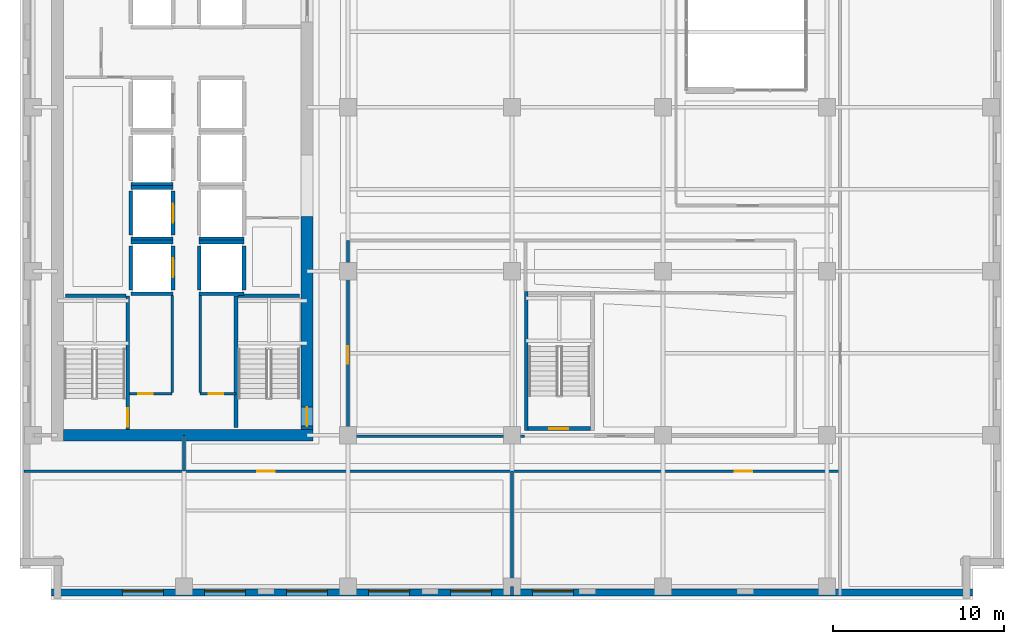
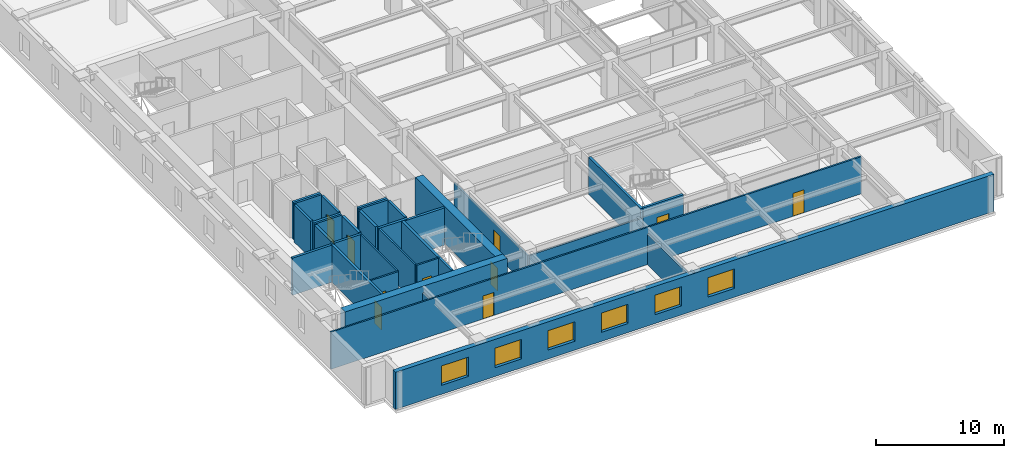
# One storey, part 4 of 14: 33 walls, 10 doors, 6 windows, 16 openings.
"""IFC4 building model written with IfcOpenShell, lengths in metres."""

from ifc_helpers import new_model, si_unit, direction, frame, frame_2d, origin, place, context, subcontext, project, spatial, rectangle, extrude, material, layer, layer_set, type_object, element, fill, save


model = new_model("IFC4")

# Units and contexts
model_context = context("Model", 3, precision=1e-05, world=origin(), true_north=direction((0.0, 1.0)))
body_context = subcontext(model_context, "Body", "Model", "MODEL_VIEW")
ifc_project = project(units=[si_unit("LENGTHUNIT", "METRE"), si_unit("AREAUNIT", "SQUARE_METRE"), si_unit("VOLUMEUNIT", "CUBIC_METRE"), si_unit("PLANEANGLEUNIT", "RADIAN"), si_unit("MASSUNIT", "GRAM", prefix="KILO")], contexts=[model_context])

# Site, building, storey
site_placement = place(None, origin())
site = spatial("IfcSite", under=ifc_project, at=site_placement, CompositionType="ELEMENT")
building_placement = place(site_placement, origin())
building = spatial("IfcBuilding", under=site, at=building_placement, Name="Norrvale University Quadrangle", CompositionType="ELEMENT")
storey_placement = place(building_placement, frame((0.0, 0.0, 116.60009765625)))
storey = spatial("IfcBuildingStorey", under=building, at=storey_placement, Name="L29", CompositionType="ELEMENT", Elevation=116.60009765625)

# Wall, openings, windows
ifc_material_1 = material(Name="Buff Norman Clay Brick Masonry", Category="masonry")
ifc_layer_1 = layer(ifc_material_1, 0.419921875, Name="Buff Norman Clay Brick Masonry")
ifc_layer_set_1 = layer_set([ifc_layer_1], Name="Buff Norman Clay Brick Masonry")
wall_type_1 = type_object("IfcWallType", Name="Wall Buff Brick 420", PredefinedType="SOLIDWALL", material=ifc_layer_set_1)
wall_1_placement = place(storey_placement, frame((1.840087890625, 0.389892578125, 0.0), z_axis=(0.0, 0.0, 1.0), x_axis=(1.0, 0.0, 0.0)))
wall_1 = element("IfcWall", 1, at=wall_1_placement, inside=storey, type_object=wall_type_1, Name="Exterior Brick Facade Wall L29-01.1", PredefinedType="SOLIDWALL", context=body_context, shape_type="SweptSolid", body=[
    extrude(rectangle(XDim=53.919921875, YDim=0.419921875, at=frame_2d((26.9599609375, 0.0))), origin(), (0.0, 0.0, 1.0), 3.539794921875),
])
opening_1_placement = place(wall_1_placement, frame((4.159912109375, 0.0, 0.85009765625)))
opening_1 = element("IfcOpeningElement", 2, at=opening_1_placement, cuts=wall_1, Name="Opening W02", PredefinedType="OPENING", context=body_context, shape_type="SweptSolid", body=[
    extrude(rectangle(XDim=2.39990234375, YDim=1.85009765625, at=frame_2d((1.199951171875, 0.925048828125))), frame((0.0, 0.221923828125, 0.0), z_axis=(0.0, -1.0, 0.0), x_axis=(1.0, 0.0, 0.0)), (0.0, 0.0, 1.0), 0.44384765625),
])
opening_2_placement = place(wall_1_placement, frame((8.9599609375, 0.0, 0.85009765625)))
opening_2 = element("IfcOpeningElement", 3, at=opening_2_placement, cuts=wall_1, Name="Opening W02", PredefinedType="OPENING", context=body_context, shape_type="SweptSolid", body=[
    extrude(rectangle(XDim=2.39990234375, YDim=1.85009765625, at=frame_2d((1.199951171875, 0.925048828125))), frame((0.0, 0.221923828125, 0.0), z_axis=(0.0, -1.0, 0.0), x_axis=(1.0, 0.0, 0.0)), (0.0, 0.0, 1.0), 0.44384765625),
])
opening_3_placement = place(wall_1_placement, frame((13.760009765625, 0.0, 0.85009765625)))
opening_3 = element("IfcOpeningElement", 4, at=opening_3_placement, cuts=wall_1, Name="Opening W02", PredefinedType="OPENING", context=body_context, shape_type="SweptSolid", body=[
    extrude(rectangle(XDim=2.39990234375, YDim=1.85009765625, at=frame_2d((1.199951171875, 0.925048828125))), frame((0.0, 0.221923828125, 0.0), z_axis=(0.0, -1.0, 0.0), x_axis=(1.0, 0.0, 0.0)), (0.0, 0.0, 1.0), 0.44384765625),
])
opening_4_placement = place(wall_1_placement, frame((18.56005859375, 0.0, 0.85009765625)))
opening_4 = element("IfcOpeningElement", 5, at=opening_4_placement, cuts=wall_1, Name="Opening W02", PredefinedType="OPENING", context=body_context, shape_type="SweptSolid", body=[
    extrude(rectangle(XDim=2.39990234375, YDim=1.85009765625, at=frame_2d((1.199951171875, 0.925048828125))), frame((0.0, 0.221923828125, 0.0), z_axis=(0.0, -1.0, 0.0), x_axis=(1.0, 0.0, 0.0)), (0.0, 0.0, 1.0), 0.44384765625),
])
opening_5_placement = place(wall_1_placement, frame((23.360107421875, 0.0, 0.85009765625)))
opening_5 = element("IfcOpeningElement", 6, at=opening_5_placement, cuts=wall_1, Name="Opening W02", PredefinedType="OPENING", context=body_context, shape_type="SweptSolid", body=[
    extrude(rectangle(XDim=2.39990234375, YDim=1.85009765625, at=frame_2d((1.199951171875, 0.925048828125))), frame((0.0, 0.221923828125, 0.0), z_axis=(0.0, -1.0, 0.0), x_axis=(1.0, 0.0, 0.0)), (0.0, 0.0, 1.0), 0.44384765625),
])
opening_6_placement = place(wall_1_placement, frame((28.159912109375, 0.0, 0.85009765625)))
opening_6 = element("IfcOpeningElement", 7, at=opening_6_placement, cuts=wall_1, Name="Opening W02", PredefinedType="OPENING", context=body_context, shape_type="SweptSolid", body=[
    extrude(rectangle(XDim=2.39990234375, YDim=1.85009765625, at=frame_2d((1.199951171875, 0.925048828125))), frame((0.0, 0.221923828125, 0.0), z_axis=(0.0, -1.0, 0.0), x_axis=(1.0, 0.0, 0.0)), (0.0, 0.0, 1.0), 0.44384765625),
])
ifc_material_2 = material(Name="Triple Low-E Argon Glazing", Category="glass")
window_type = type_object("IfcWindowType", Name="Window Academic 2400x2300", PartitioningType="TRIPLE_PANEL_VERTICAL", PredefinedType="WINDOW", material=ifc_material_2)
window_1_placement = place(opening_1_placement, origin())
window_1 = element("IfcWindow", 8, at=window_1_placement, inside=storey, type_object=window_type, Name="Window Academic 2400x2300 WIN-L29-E01-1-01", OverallHeight=1.85009765625, OverallWidth=2.39990234375, PartitioningType="TRIPLE_PANEL_VERTICAL", PredefinedType="WINDOW", context=body_context, shape_type="SweptSolid", body=[
    extrude(rectangle(XDim=2.39990234375, YDim=1.85009765625, at=frame_2d((1.199951171875, 0.925048828125))), frame((0.0, 0.110107421875, 0.0), z_axis=(0.0, -1.0, 0.0), x_axis=(1.0, 0.0, 0.0)), (0.0, 0.0, 1.0), 0.06005859375),
])
fill(opening_1, window_1)
window_2_placement = place(opening_2_placement, origin())
window_2 = element("IfcWindow", 9, at=window_2_placement, inside=storey, type_object=window_type, Name="Window Academic 2400x2300 WIN-L29-E01-1-02", OverallHeight=1.85009765625, OverallWidth=2.39990234375, PartitioningType="TRIPLE_PANEL_VERTICAL", PredefinedType="WINDOW", context=body_context, shape_type="SweptSolid", body=[
    extrude(rectangle(XDim=2.39990234375, YDim=1.85009765625, at=frame_2d((1.199951171875, 0.925048828125))), frame((0.0, 0.110107421875, 0.0), z_axis=(0.0, -1.0, 0.0), x_axis=(1.0, 0.0, 0.0)), (0.0, 0.0, 1.0), 0.06005859375),
])
fill(opening_2, window_2)
window_3_placement = place(opening_3_placement, origin())
window_3 = element("IfcWindow", 10, at=window_3_placement, inside=storey, type_object=window_type, Name="Window Academic 2400x2300 WIN-L29-E01-1-03", OverallHeight=1.85009765625, OverallWidth=2.39990234375, PartitioningType="TRIPLE_PANEL_VERTICAL", PredefinedType="WINDOW", context=body_context, shape_type="SweptSolid", body=[
    extrude(rectangle(XDim=2.39990234375, YDim=1.85009765625, at=frame_2d((1.199951171875, 0.925048828125))), frame((0.0, 0.110107421875, 0.0), z_axis=(0.0, -1.0, 0.0), x_axis=(1.0, 0.0, 0.0)), (0.0, 0.0, 1.0), 0.06005859375),
])
fill(opening_3, window_3)
window_4_placement = place(opening_4_placement, origin())
window_4 = element("IfcWindow", 11, at=window_4_placement, inside=storey, type_object=window_type, Name="Window Academic 2400x2300 WIN-L29-E01-1-04", OverallHeight=1.85009765625, OverallWidth=2.39990234375, PartitioningType="TRIPLE_PANEL_VERTICAL", PredefinedType="WINDOW", context=body_context, shape_type="SweptSolid", body=[
    extrude(rectangle(XDim=2.39990234375, YDim=1.85009765625, at=frame_2d((1.199951171875, 0.925048828125))), frame((0.0, 0.110107421875, 0.0), z_axis=(0.0, -1.0, 0.0), x_axis=(1.0, 0.0, 0.0)), (0.0, 0.0, 1.0), 0.06005859375),
])
fill(opening_4, window_4)
window_5_placement = place(opening_5_placement, origin())
window_5 = element("IfcWindow", 12, at=window_5_placement, inside=storey, type_object=window_type, Name="Window Academic 2400x2300 WIN-L29-E01-1-05", OverallHeight=1.85009765625, OverallWidth=2.39990234375, PartitioningType="TRIPLE_PANEL_VERTICAL", PredefinedType="WINDOW", context=body_context, shape_type="SweptSolid", body=[
    extrude(rectangle(XDim=2.39990234375, YDim=1.85009765625, at=frame_2d((1.199951171875, 0.925048828125))), frame((0.0, 0.110107421875, 0.0), z_axis=(0.0, -1.0, 0.0), x_axis=(1.0, 0.0, 0.0)), (0.0, 0.0, 1.0), 0.06005859375),
])
fill(opening_5, window_5)
window_6_placement = place(opening_6_placement, origin())
window_6 = element("IfcWindow", 13, at=window_6_placement, inside=storey, type_object=window_type, Name="Window Academic 2400x2300 WIN-L29-E01-1-06", OverallHeight=1.85009765625, OverallWidth=2.39990234375, PartitioningType="TRIPLE_PANEL_VERTICAL", PredefinedType="WINDOW", context=body_context, shape_type="SweptSolid", body=[
    extrude(rectangle(XDim=2.39990234375, YDim=1.85009765625, at=frame_2d((1.199951171875, 0.925048828125))), frame((0.0, 0.110107421875, 0.0), z_axis=(0.0, -1.0, 0.0), x_axis=(1.0, 0.0, 0.0)), (0.0, 0.0, 1.0), 0.06005859375),
])
fill(opening_6, window_6)

# Wall
ifc_material_3 = material(Name="Concrete C60/75", Category="concrete")
ifc_layer_2 = layer(ifc_material_3, 0.699951171875, Name="Concrete C60/75")
ifc_layer_set_2 = layer_set([ifc_layer_2], Name="Concrete C60/75")
wall_type_2 = type_object("IfcWallType", Name="Wall Core 700", PredefinedType="SHEAR", material=ifc_layer_set_2)
wall_2_placement = place(storey_placement, frame((2.550048828125, 9.60009765625, 0.0), z_axis=(0.0, 0.0, 1.0), x_axis=(1.0, 0.0, 0.0)))
element("IfcWall", 14, at=wall_2_placement, inside=storey, type_object=wall_type_2, Name="Tower Core Shear Wall L29-S", PredefinedType="SHEAR", context=body_context, shape_type="SweptSolid", body=[
    extrude(rectangle(XDim=14.599853515625, YDim=0.699951171875, at=frame_2d((7.2998046875, 0.0))), origin(), (0.0, 0.0, 1.0), 3.539794921875),
])

# Wall, opening, door
wall_3_placement = place(storey_placement, frame((16.800048828125, 9.949951171875, 0.0), z_axis=(0.0, 0.0, 1.0), x_axis=(0.0, 1.0, 0.0)))
wall_3 = element("IfcWall", 15, at=wall_3_placement, inside=storey, type_object=wall_type_2, Name="Tower Core Shear Wall L29-E1", PredefinedType="SHEAR", context=body_context, shape_type="SweptSolid", body=[
    extrude(rectangle(XDim=12.449951171875, YDim=0.699951171875, at=frame_2d((6.22509765625, 0.0))), origin(), (0.0, 0.0, 1.0), 3.539794921875),
])
opening_7_placement = place(wall_3_placement, frame((0.18994140625, 0.0, 0.0)))
opening_7 = element("IfcOpeningElement", 16, at=opening_7_placement, cuts=wall_3, Name="Opening D02", PredefinedType="OPENING", context=body_context, shape_type="SweptSolid", body=[
    extrude(rectangle(XDim=1.10009765625, YDim=2.199951171875, at=frame_2d((0.550048828125, 1.10009765625))), frame((0.0, 0.362060546875, 0.0), z_axis=(0.0, -1.0, 0.0), x_axis=(1.0, 0.0, 0.0)), (0.0, 0.0, 1.0), 0.723876953125),
])
ifc_material_4 = material(Name="Hollow Steel 350W Fire Door", Category="steel")
door_type_1 = type_object("IfcDoorType", Name="Door Stair Exit 1100x2200", OperationType="NOTDEFINED", PredefinedType="DOOR", material=ifc_material_4)
door_1_placement = place(opening_7_placement, origin())
door_1 = element("IfcDoor", 17, at=door_1_placement, inside=storey, type_object=door_type_1, Name="Door Stair Exit 1100x2200 DR-L29-ST03", OperationType="SINGLE_SWING_LEFT", OverallHeight=2.199951171875, OverallWidth=1.10009765625, PredefinedType="DOOR", context=body_context, shape_type="SweptSolid", body=[
    extrude(rectangle(XDim=1.10009765625, YDim=2.199951171875, at=frame_2d((0.550048828125, 1.10009765625))), frame((0.0, 0.02490234375, 0.0), z_axis=(0.0, -1.0, 0.0), x_axis=(1.0, 0.0, 0.0)), (0.0, 0.0, 1.0), 0.050048828125),
])
fill(opening_7, door_1)

ifc_material_5 = material(Name="Fire-Rated Gypsum Stud Partition")
ifc_layer_3 = layer(ifc_material_5, 0.14990234375, Name="Fire-Rated Gypsum Stud Partition")
ifc_layer_set_3 = layer_set([ifc_layer_3], Name="Fire-Rated Gypsum Stud Partition")
wall_type_3 = type_object("IfcWallType", Name="Wall Gypsum Corridor 150", PredefinedType="PARTITIONING", material=ifc_layer_set_3)
wall_4_placement = place(storey_placement, frame((6.419921875, 12.02001953125, 0.0), z_axis=(0.0, 0.0, 1.0), x_axis=(1.0, 0.0, 0.0)))
wall_4 = element("IfcWall", 18, at=wall_4_placement, inside=storey, type_object=wall_type_3, Name="Interior Partition WL-L29-SC-NL", PredefinedType="PARTITIONING", context=body_context, shape_type="SweptSolid", body=[
    extrude(rectangle(XDim=2.47998046875, YDim=0.14990234375, at=frame_2d((1.239990234375, 0.0))), origin(), (0.0, 0.0, 1.0), 3.539794921875),
])
opening_8_placement = place(wall_4_placement, frame((0.5, 0.0, 0.0)))
opening_8 = element("IfcOpeningElement", 19, at=opening_8_placement, cuts=wall_4, Name="Opening D10", PredefinedType="OPENING", context=body_context, shape_type="SweptSolid", body=[
    extrude(rectangle(XDim=0.85009765625, YDim=2.10009765625, at=frame_2d((0.425048828125, 1.050048828125))), frame((0.0, 0.0869140625, 0.0), z_axis=(0.0, -1.0, 0.0), x_axis=(1.0, 0.0, 0.0)), (0.0, 0.0, 1.0), 0.173828125),
])
ifc_material_6 = material(Name="Hollow Steel 350W Riser Fire Door", Category="steel")
door_type_2 = type_object("IfcDoorType", Name="Door Riser 850x2100", OperationType="NOTDEFINED", PredefinedType="DOOR", material=ifc_material_6)
door_2_placement = place(opening_8_placement, origin())
door_2 = element("IfcDoor", 20, at=door_2_placement, inside=storey, type_object=door_type_2, Name="Door Riser 850x2100 DR-L29-ELEC", OperationType="SINGLE_SWING_LEFT", OverallHeight=2.10009765625, OverallWidth=0.85009765625, PredefinedType="DOOR", context=body_context, shape_type="SweptSolid", body=[
    extrude(rectangle(XDim=0.85009765625, YDim=2.10009765625, at=frame_2d((0.425048828125, 1.050048828125))), frame((0.0, 0.02490234375, 0.0), z_axis=(0.0, -1.0, 0.0), x_axis=(1.0, 0.0, 0.0)), (0.0, 0.0, 1.0), 0.050048828125),
])
fill(opening_8, door_2)

wall_5_placement = place(storey_placement, frame((10.550048828125, 12.02001953125, 0.0), z_axis=(0.0, 0.0, 1.0), x_axis=(1.0, 0.0, 0.0)))
wall_5 = element("IfcWall", 21, at=wall_5_placement, inside=storey, type_object=wall_type_3, Name="Interior Partition WL-L29-SC-NR", PredefinedType="PARTITIONING", context=body_context, shape_type="SweptSolid", body=[
    extrude(rectangle(XDim=2.079833984375, YDim=0.14990234375, at=frame_2d((1.0400390625, 0.0))), origin(), (0.0, 0.0, 1.0), 3.539794921875),
])
opening_9_placement = place(wall_5_placement, frame((0.5, 0.0, 0.0)))
opening_9 = element("IfcOpeningElement", 22, at=opening_9_placement, cuts=wall_5, Name="Opening D10", PredefinedType="OPENING", context=body_context, shape_type="SweptSolid", body=[
    extrude(rectangle(XDim=0.85009765625, YDim=2.10009765625, at=frame_2d((0.425048828125, 1.050048828125))), frame((0.0, 0.0869140625, 0.0), z_axis=(0.0, -1.0, 0.0), x_axis=(1.0, 0.0, 0.0)), (0.0, 0.0, 1.0), 0.173828125),
])
door_3_placement = place(opening_9_placement, origin())
door_3 = element("IfcDoor", 23, at=door_3_placement, inside=storey, type_object=door_type_2, Name="Door Riser 850x2100 DR-L29-IDF", OperationType="SINGLE_SWING_RIGHT", OverallHeight=2.10009765625, OverallWidth=0.85009765625, PredefinedType="DOOR", context=body_context, shape_type="SweptSolid", body=[
    extrude(rectangle(XDim=0.85009765625, YDim=2.10009765625, at=frame_2d((0.425048828125, 1.050048828125))), frame((0.0, 0.02490234375, 0.0), z_axis=(0.0, -1.0, 0.0), x_axis=(1.0, 0.0, 0.0)), (0.0, 0.0, 1.0), 0.050048828125),
])
fill(opening_9, door_3)

# Walls
for number, where, z_axis, x_axis, name in (
    (24, (8.89990234375, 12.094970703125, 0.0), (0.0, 0.0, 1.0), (0.0, 1.0, 0.0), "Interior Partition WL-L29-SC-WL"),
    (25, (10.550048828125, 12.094970703125, 0.0), (0.0, 0.0, 1.0), (0.0, 1.0, 0.0), "Interior Partition WL-L29-SC-WR"),
):
    element("IfcWall", number, at=place(storey_placement, frame(where, z_axis=z_axis, x_axis=x_axis)), inside=storey, type_object=wall_type_3, Name=name, PredefinedType="PARTITIONING", context=body_context, shape_type="SweptSolid", body=[
        extrude(rectangle(XDim=5.679931640625, YDim=0.14990234375, at=frame_2d((2.83984375, 0.0))), origin(), (0.0, 0.0, 1.0), 3.539794921875),
    ])
wall_6_placement = place(storey_placement, frame((9.60009765625, 7.5, 0.0), z_axis=(0.0, 0.0, 1.0), x_axis=(0.0, 1.0, 0.0)))
element("IfcWall", 26, at=wall_6_placement, inside=storey, type_object=wall_type_3, Name="Interior Partition WL-L29-CSW-END", PredefinedType="PARTITIONING", context=body_context, shape_type="SweptSolid", body=[
    extrude(rectangle(XDim=2.10009765625, YDim=0.14990234375, at=frame_2d((1.050048828125, 0.0))), origin(), (0.0, 0.0, 1.0), 2.9228515625),
])

# Wall, openings, doors
wall_7_placement = place(storey_placement, frame((0.219970703125, 7.5, 0.0), z_axis=(0.0, 0.0, 1.0), x_axis=(1.0, 0.0, 0.0)))
wall_7 = element("IfcWall", 27, at=wall_7_placement, inside=storey, type_object=wall_type_3, Name="Interior Partition WL-L29-SCW", PredefinedType="PARTITIONING", context=body_context, shape_type="SweptSolid", body=[
    extrude(rectangle(XDim=47.780029296875, YDim=0.14990234375, at=frame_2d((23.89013671875, 0.0))), origin(), (0.0, 0.0, 1.0), 3.539794921875),
])
opening_10_placement = place(wall_7_placement, frame((13.679931640625, 0.0, 0.0)))
opening_10 = element("IfcOpeningElement", 28, at=opening_10_placement, cuts=wall_7, Name="Opening D04", PredefinedType="OPENING", context=body_context, shape_type="SweptSolid", body=[
    extrude(rectangle(XDim=1.0, YDim=2.199951171875, at=frame_2d((0.5, 1.10009765625))), frame((0.0, 0.0869140625, 0.0), z_axis=(0.0, -1.0, 0.0), x_axis=(1.0, 0.0, 0.0)), (0.0, 0.0, 1.0), 0.173828125),
])
opening_11_placement = place(wall_7_placement, frame((41.6298828125, 0.0, 0.0)))
opening_11 = element("IfcOpeningElement", 29, at=opening_11_placement, cuts=wall_7, Name="Opening D04", PredefinedType="OPENING", context=body_context, shape_type="SweptSolid", body=[
    extrude(rectangle(XDim=1.0, YDim=2.199951171875, at=frame_2d((0.5, 1.10009765625))), frame((0.0, 0.0869140625, 0.0), z_axis=(0.0, -1.0, 0.0), x_axis=(1.0, 0.0, 0.0)), (0.0, 0.0, 1.0), 0.173828125),
])
ifc_material_7 = material(Name="Solid-Core Oak Fire Door", Category="wood")
door_type_3 = type_object("IfcDoorType", Name="Door Corridor 1000x2200", OperationType="NOTDEFINED", PredefinedType="DOOR", material=ifc_material_7)
door_4_placement = place(opening_10_placement, origin())
door_4 = element("IfcDoor", 30, at=door_4_placement, inside=storey, type_object=door_type_3, Name="Door Corridor 1000x2200 DR-L29-S01", OperationType="SINGLE_SWING_LEFT", OverallHeight=2.199951171875, OverallWidth=1.0, PredefinedType="DOOR", context=body_context, shape_type="SweptSolid", body=[
    extrude(rectangle(XDim=1.0, YDim=2.199951171875, at=frame_2d((0.5, 1.10009765625))), frame((0.0, 0.02490234375, 0.0), z_axis=(0.0, -1.0, 0.0), x_axis=(1.0, 0.0, 0.0)), (0.0, 0.0, 1.0), 0.050048828125),
])
fill(opening_10, door_4)
door_5_placement = place(opening_11_placement, origin())
door_5 = element("IfcDoor", 31, at=door_5_placement, inside=storey, type_object=door_type_3, Name="Door Corridor 1000x2200 DR-L29-S02", OperationType="SINGLE_SWING_RIGHT", OverallHeight=2.199951171875, OverallWidth=1.0, PredefinedType="DOOR", context=body_context, shape_type="SweptSolid", body=[
    extrude(rectangle(XDim=1.0, YDim=2.199951171875, at=frame_2d((0.5, 1.10009765625))), frame((0.0, 0.02490234375, 0.0), z_axis=(0.0, -1.0, 0.0), x_axis=(1.0, 0.0, 0.0)), (0.0, 0.0, 1.0), 0.050048828125),
])
fill(opening_11, door_5)

# Wall, opening, door
wall_8_placement = place(storey_placement, frame((19.199951171875, 9.550048828125, 0.0), z_axis=(0.0, 0.0, 1.0), x_axis=(0.0, 1.0, 0.0)))
wall_8 = element("IfcWall", 32, at=wall_8_placement, inside=storey, type_object=wall_type_3, Name="Interior Partition WL-L29-ISLW", PredefinedType="PARTITIONING", context=body_context, shape_type="SweptSolid", body=[
    extrude(rectangle(XDim=11.449951171875, YDim=0.14990234375, at=frame_2d((5.72509765625, 0.0))), origin(), (0.0, 0.0, 1.0), 2.9228515625),
])
opening_12_placement = place(wall_8_placement, frame((4.25, 0.0, 0.0)))
opening_12 = element("IfcOpeningElement", 33, at=opening_12_placement, cuts=wall_8, Name="Opening D04", PredefinedType="OPENING", context=body_context, shape_type="SweptSolid", body=[
    extrude(rectangle(XDim=1.0, YDim=2.199951171875, at=frame_2d((0.5, 1.10009765625))), frame((0.0, 0.0869140625, 0.0), z_axis=(0.0, -1.0, 0.0), x_axis=(1.0, 0.0, 0.0)), (0.0, 0.0, 1.0), 0.173828125),
])
door_6_placement = place(opening_12_placement, origin())
door_6 = element("IfcDoor", 34, at=door_6_placement, inside=storey, type_object=door_type_3, Name="Door Corridor 1000x2200 DR-L29-IW1", OperationType="SINGLE_SWING_LEFT", OverallHeight=2.199951171875, OverallWidth=1.0, PredefinedType="DOOR", context=body_context, shape_type="SweptSolid", body=[
    extrude(rectangle(XDim=1.0, YDim=2.199951171875, at=frame_2d((0.5, 1.10009765625))), frame((0.0, 0.02490234375, 0.0), z_axis=(0.0, -1.0, 0.0), x_axis=(1.0, 0.0, 0.0)), (0.0, 0.0, 1.0), 0.050048828125),
])
fill(opening_12, door_6)

# Walls
wall_9_placement = place(storey_placement, frame((19.280029296875, 9.550048828125, 0.0), z_axis=(0.0, 0.0, 1.0), x_axis=(1.0, 0.0, 0.0)))
element("IfcWall", 35, at=wall_9_placement, inside=storey, type_object=wall_type_3, Name="Interior Partition WL-L29-ISLS1", PredefinedType="PARTITIONING", context=body_context, shape_type="SweptSolid", body=[
    extrude(rectangle(XDim=10.244873046875, YDim=0.14990234375, at=frame_2d((5.12255859375, 0.0))), origin(), (0.0, 0.0, 1.0), 2.9228515625),
])
ifc_material_8 = material(Name="Acoustic Double-Stud Gypsum Partition")
ifc_layer_4 = layer(ifc_material_8, 0.179931640625, Name="Acoustic Double-Stud Gypsum Partition")
ifc_layer_set_4 = layer_set([ifc_layer_4], Name="Acoustic Double-Stud Gypsum Partition")
wall_type_4 = type_object("IfcWallType", Name="Wall Gypsum Lecture 180", PredefinedType="PARTITIONING", material=ifc_layer_set_4)
wall_10_placement = place(storey_placement, frame((28.800048828125, 0.219970703125, 0.0), z_axis=(0.0, 0.0, 1.0), x_axis=(0.0, 1.0, 0.0)))
element("IfcWall", 36, at=wall_10_placement, inside=storey, type_object=wall_type_4, Name="Interior Partition WL-L29-SP01", PredefinedType="PARTITIONING", context=body_context, shape_type="SweptSolid", body=[
    extrude(rectangle(XDim=0.530029296875, YDim=0.179931640625, at=frame_2d((0.26513671875, 0.0))), origin(), (0.0, 0.0, 1.0), 3.539794921875),
])
wall_11_placement = place(storey_placement, frame((28.800048828125, 0.75, 0.0), z_axis=(0.0, 0.0, 1.0), x_axis=(0.0, 1.0, 0.0)))
element("IfcWall", 37, at=wall_11_placement, inside=storey, type_object=wall_type_4, Name="Interior Partition WL-L29-SP01-B2", PredefinedType="PARTITIONING", context=body_context, shape_type="SweptSolid", body=[
    extrude(rectangle(XDim=6.75, YDim=0.179931640625, at=frame_2d((3.375, 0.0))), origin(), (0.0, 0.0, 1.0), 2.9228515625),
])

# Wall, opening, door
ifc_material_9 = material(Name="Concrete Blockwork 20 MPa Fire Shaft", Category="masonry")
ifc_layer_5 = layer(ifc_material_9, 0.219970703125, Name="Concrete Blockwork 20 MPa Fire Shaft")
ifc_layer_set_5 = layer_set([ifc_layer_5], Name="Concrete Blockwork 20 MPa Fire Shaft")
wall_type_5 = type_object("IfcWallType", Name="Wall Shaft 220", PredefinedType="SOLIDWALL", material=ifc_layer_set_5)
wall_12_placement = place(storey_placement, frame((6.31005859375, 9.949951171875, 0.0), z_axis=(0.0, 0.0, 1.0), x_axis=(0.0, 1.0, 0.0)))
wall_12 = element("IfcWall", 38, at=wall_12_placement, inside=storey, type_object=wall_type_5, Name="Stair ST-01 East Shaft Wall L29", PredefinedType="SOLIDWALL", context=body_context, shape_type="SweptSolid", body=[
    extrude(rectangle(XDim=7.81005859375, YDim=0.219970703125, at=frame_2d((3.905029296875, 0.0))), origin(), (0.0, 0.0, 1.0), 3.539794921875),
])
opening_13_placement = place(wall_12_placement, frame((0.139892578125, 0.0, 0.0)))
opening_13 = element("IfcOpeningElement", 39, at=opening_13_placement, cuts=wall_12, Name="Opening D02", PredefinedType="OPENING", context=body_context, shape_type="SweptSolid", body=[
    extrude(rectangle(XDim=1.10009765625, YDim=2.199951171875, at=frame_2d((0.550048828125, 1.10009765625))), frame((0.0, 0.1220703125, 0.0), z_axis=(0.0, -1.0, 0.0), x_axis=(1.0, 0.0, 0.0)), (0.0, 0.0, 1.0), 0.243896484375),
])
door_7_placement = place(opening_13_placement, origin())
door_7 = element("IfcDoor", 40, at=door_7_placement, inside=storey, type_object=door_type_1, Name="Door Stair Exit 1100x2200 DR-L29-ST01", OperationType="SINGLE_SWING_LEFT", OverallHeight=2.199951171875, OverallWidth=1.10009765625, PredefinedType="DOOR", context=body_context, shape_type="SweptSolid", body=[
    extrude(rectangle(XDim=1.10009765625, YDim=2.199951171875, at=frame_2d((0.550048828125, 1.10009765625))), frame((0.0, 0.02490234375, 0.0), z_axis=(0.0, -1.0, 0.0), x_axis=(1.0, 0.0, 0.0)), (0.0, 0.0, 1.0), 0.050048828125),
])
fill(opening_13, door_7)

# Walls
wall_13_placement = place(storey_placement, frame((2.64990234375, 17.760009765625, 0.0), z_axis=(0.0, 0.0, 1.0), x_axis=(1.0, 0.0, 0.0)))
element("IfcWall", 41, at=wall_13_placement, inside=storey, type_object=wall_type_5, Name="Stair ST-01 North Shaft Wall L29", PredefinedType="SOLIDWALL", context=body_context, shape_type="SweptSolid", body=[
    extrude(rectangle(XDim=3.550048828125, YDim=0.219970703125, at=frame_2d((1.77490234375, 0.0))), origin(), (0.0, 0.0, 1.0), 3.539794921875),
])
wall_14_placement = place(storey_placement, frame((12.639892578125, 10.050048828125, 0.0), z_axis=(0.0, 0.0, 1.0), x_axis=(0.0, 1.0, 0.0)))
element("IfcWall", 42, at=wall_14_placement, inside=storey, type_object=wall_type_5, Name="Stair ST-03 West Shaft Wall L29", PredefinedType="SOLIDWALL", context=body_context, shape_type="SweptSolid", body=[
    extrude(rectangle(XDim=7.7099609375, YDim=0.219970703125, at=frame_2d((3.85498046875, 0.0))), origin(), (0.0, 0.0, 1.0), 3.539794921875),
])
wall_15_placement = place(storey_placement, frame((12.75, 17.760009765625, 0.0), z_axis=(0.0, 0.0, 1.0), x_axis=(1.0, 0.0, 0.0)))
element("IfcWall", 43, at=wall_15_placement, inside=storey, type_object=wall_type_5, Name="Stair ST-03 North Shaft Wall L29", PredefinedType="SOLIDWALL", context=body_context, shape_type="SweptSolid", body=[
    extrude(rectangle(XDim=3.60009765625, YDim=0.219970703125, at=frame_2d((1.800048828125, 0.0))), origin(), (0.0, 0.0, 1.0), 3.539794921875),
])

# Wall, opening, door
wall_16_placement = place(storey_placement, frame((29.75, 9.989990234375, 0.0), z_axis=(0.0, 0.0, 1.0), x_axis=(1.0, 0.0, 0.0)))
wall_16 = element("IfcWall", 44, at=wall_16_placement, inside=storey, type_object=wall_type_5, Name="Stair ST-04 South Shaft Wall L29", PredefinedType="SOLIDWALL", context=body_context, shape_type="SweptSolid", body=[
    extrude(rectangle(XDim=3.64990234375, YDim=0.219970703125, at=frame_2d((1.824951171875, 0.0))), origin(), (0.0, 0.0, 1.0), 3.539794921875),
])
opening_14_placement = place(wall_16_placement, frame((1.239990234375, 0.0, 0.0)))
opening_14 = element("IfcOpeningElement", 45, at=opening_14_placement, cuts=wall_16, Name="Opening D02", PredefinedType="OPENING", context=body_context, shape_type="SweptSolid", body=[
    extrude(rectangle(XDim=1.10009765625, YDim=2.199951171875, at=frame_2d((0.550048828125, 1.10009765625))), frame((0.0, 0.1220703125, 0.0), z_axis=(0.0, -1.0, 0.0), x_axis=(1.0, 0.0, 0.0)), (0.0, 0.0, 1.0), 0.243896484375),
])
door_8_placement = place(opening_14_placement, origin())
door_8 = element("IfcDoor", 46, at=door_8_placement, inside=storey, type_object=door_type_1, Name="Door Stair Exit 1100x2200 DR-L29-ST04", OperationType="SINGLE_SWING_LEFT", OverallHeight=2.199951171875, OverallWidth=1.10009765625, PredefinedType="DOOR", context=body_context, shape_type="SweptSolid", body=[
    extrude(rectangle(XDim=1.10009765625, YDim=2.199951171875, at=frame_2d((0.550048828125, 1.10009765625))), frame((0.0, 0.02490234375, 0.0), z_axis=(0.0, -1.0, 0.0), x_axis=(1.0, 0.0, 0.0)), (0.0, 0.0, 1.0), 0.050048828125),
])
fill(opening_14, door_8)

# Walls
wall_17_placement = place(storey_placement, frame((29.639892578125, 9.8798828125, 0.0), z_axis=(0.0, 0.0, 1.0), x_axis=(0.0, 1.0, 0.0)))
element("IfcWall", 47, at=wall_17_placement, inside=storey, type_object=wall_type_5, Name="Stair ST-04 West Shaft Wall L29", PredefinedType="SOLIDWALL", context=body_context, shape_type="SweptSolid", body=[
    extrude(rectangle(XDim=8.14013671875, YDim=0.219970703125, at=frame_2d((4.070068359375, 0.0))), origin(), (0.0, 0.0, 1.0), 3.539794921875),
])
wall_18_placement = place(storey_placement, frame((6.489990234375, 18.110107421875, 0.0), z_axis=(0.0, 0.0, 1.0), x_axis=(0.0, 1.0, 0.0)))
element("IfcWall", 48, at=wall_18_placement, inside=storey, type_object=wall_type_5, Name="Hoistway PL-01 West Wall L29", PredefinedType="SOLIDWALL", context=body_context, shape_type="SweptSolid", body=[
    extrude(rectangle(XDim=2.579833984375, YDim=0.219970703125, at=frame_2d((1.2900390625, 0.0))), origin(), (0.0, 0.0, 1.0), 3.539794921875),
])

# Wall, opening, door
wall_19_placement = place(storey_placement, frame((8.9599609375, 18.110107421875, 0.0), z_axis=(0.0, 0.0, 1.0), x_axis=(0.0, 1.0, 0.0)))
wall_19 = element("IfcWall", 49, at=wall_19_placement, inside=storey, type_object=wall_type_5, Name="Hoistway PL-01 East Wall L29", PredefinedType="SOLIDWALL", context=body_context, shape_type="SweptSolid", body=[
    extrude(rectangle(XDim=2.579833984375, YDim=0.219970703125, at=frame_2d((1.2900390625, 0.0))), origin(), (0.0, 0.0, 1.0), 3.539794921875),
])
opening_15_placement = place(wall_19_placement, frame((0.739990234375, 0.0, 0.0)))
opening_15 = element("IfcOpeningElement", 50, at=opening_15_placement, cuts=wall_19, Name="Opening LD1", PredefinedType="OPENING", context=body_context, shape_type="SweptSolid", body=[
    extrude(rectangle(XDim=1.10009765625, YDim=2.199951171875, at=frame_2d((0.550048828125, 1.10009765625))), frame((0.0, 0.1220703125, 0.0), z_axis=(0.0, -1.0, 0.0), x_axis=(1.0, 0.0, 0.0)), (0.0, 0.0, 1.0), 0.243896484375),
])
ifc_material_10 = material(Name="Stainless Steel 316L Lift Landing Door", Category="steel")
door_type_4 = type_object("IfcDoorType", Name="Door Lift Landing 1100x2200", OperationType="DOUBLE_DOOR_SLIDING", PredefinedType="DOOR", material=ifc_material_10)
door_9_placement = place(opening_15_placement, origin())
door_9 = element("IfcDoor", 51, at=door_9_placement, inside=storey, type_object=door_type_4, Name="Elevator Landing Door DR-L29-PL-01", OperationType="DOUBLE_DOOR_SLIDING", OverallHeight=2.199951171875, OverallWidth=1.10009765625, PredefinedType="DOOR", context=body_context, shape_type="SweptSolid", body=[
    extrude(rectangle(XDim=1.10009765625, YDim=2.199951171875, at=frame_2d((0.550048828125, 1.10009765625))), frame((0.0, 0.02490234375, 0.0), z_axis=(0.0, -1.0, 0.0), x_axis=(1.0, 0.0, 0.0)), (0.0, 0.0, 1.0), 0.050048828125),
])
fill(opening_15, door_9)

# Walls
for number, where, z_axis, x_axis, name in (
    (52, (6.489990234375, 17.889892578125, 0.0), (0.0, 0.0, 1.0), (1.0, 0.0, 0.0), "Hoistway PL-01 South Wall L29"),
    (53, (6.489990234375, 20.909912109375, 0.0), (0.0, 0.0, 1.0), (1.0, 0.0, 0.0), "Hoistway PL-01 North Wall L29"),
):
    element("IfcWall", number, at=place(storey_placement, frame(where, z_axis=z_axis, x_axis=x_axis)), inside=storey, type_object=wall_type_5, Name=name, PredefinedType="SOLIDWALL", context=body_context, shape_type="SweptSolid", body=[
        extrude(rectangle(XDim=2.469970703125, YDim=0.219970703125, at=frame_2d((1.23486328125, 0.0))), origin(), (0.0, 0.0, 1.0), 3.539794921875),
    ])
wall_20_placement = place(storey_placement, frame((6.489990234375, 21.31005859375, 0.0), z_axis=(0.0, 0.0, 1.0), x_axis=(0.0, 1.0, 0.0)))
element("IfcWall", 54, at=wall_20_placement, inside=storey, type_object=wall_type_5, Name="Hoistway PL-02 West Wall L29", PredefinedType="SOLIDWALL", context=body_context, shape_type="SweptSolid", body=[
    extrude(rectangle(XDim=2.579833984375, YDim=0.219970703125, at=frame_2d((1.2900390625, 0.0))), origin(), (0.0, 0.0, 1.0), 3.539794921875),
])

# Wall, opening, door
wall_21_placement = place(storey_placement, frame((8.9599609375, 21.31005859375, 0.0), z_axis=(0.0, 0.0, 1.0), x_axis=(0.0, 1.0, 0.0)))
wall_21 = element("IfcWall", 55, at=wall_21_placement, inside=storey, type_object=wall_type_5, Name="Hoistway PL-02 East Wall L29", PredefinedType="SOLIDWALL", context=body_context, shape_type="SweptSolid", body=[
    extrude(rectangle(XDim=2.579833984375, YDim=0.219970703125, at=frame_2d((1.2900390625, 0.0))), origin(), (0.0, 0.0, 1.0), 3.539794921875),
])
opening_16_placement = place(wall_21_placement, frame((0.739990234375, 0.0, 0.0)))
opening_16 = element("IfcOpeningElement", 56, at=opening_16_placement, cuts=wall_21, Name="Opening LD1", PredefinedType="OPENING", context=body_context, shape_type="SweptSolid", body=[
    extrude(rectangle(XDim=1.10009765625, YDim=2.199951171875, at=frame_2d((0.550048828125, 1.10009765625))), frame((0.0, 0.1220703125, 0.0), z_axis=(0.0, -1.0, 0.0), x_axis=(1.0, 0.0, 0.0)), (0.0, 0.0, 1.0), 0.243896484375),
])
door_10_placement = place(opening_16_placement, origin())
door_10 = element("IfcDoor", 57, at=door_10_placement, inside=storey, type_object=door_type_4, Name="Elevator Landing Door DR-L29-PL-02", OperationType="DOUBLE_DOOR_SLIDING", OverallHeight=2.199951171875, OverallWidth=1.10009765625, PredefinedType="DOOR", context=body_context, shape_type="SweptSolid", body=[
    extrude(rectangle(XDim=1.10009765625, YDim=2.199951171875, at=frame_2d((0.550048828125, 1.10009765625))), frame((0.0, 0.02490234375, 0.0), z_axis=(0.0, -1.0, 0.0), x_axis=(1.0, 0.0, 0.0)), (0.0, 0.0, 1.0), 0.050048828125),
])
fill(opening_16, door_10)

# Walls
for number, where, z_axis, x_axis, name in (
    (58, (6.489990234375, 21.090087890625, 0.0), (0.0, 0.0, 1.0), (1.0, 0.0, 0.0), "Hoistway PL-02 South Wall L29"),
    (59, (6.489990234375, 24.110107421875, 0.0), (0.0, 0.0, 1.0), (1.0, 0.0, 0.0), "Hoistway PL-02 North Wall L29"),
    (60, (6.489990234375, 24.2900390625, 0.0), (0.0, 0.0, 1.0), (1.0, 0.0, 0.0), "Hoistway PL-03 South Wall L29"),
):
    element("IfcWall", number, at=place(storey_placement, frame(where, z_axis=z_axis, x_axis=x_axis)), inside=storey, type_object=wall_type_5, Name=name, PredefinedType="SOLIDWALL", context=body_context, shape_type="SweptSolid", body=[
        extrude(rectangle(XDim=2.469970703125, YDim=0.219970703125, at=frame_2d((1.23486328125, 0.0))), origin(), (0.0, 0.0, 1.0), 3.539794921875),
    ])
for number, where, z_axis, x_axis, name in (
    (61, (10.489990234375, 18.110107421875, 0.0), (0.0, 0.0, 1.0), (0.0, 1.0, 0.0), "Hoistway PL-05 West Wall L29"),
    (62, (13.110107421875, 18.110107421875, 0.0), (0.0, 0.0, 1.0), (0.0, 1.0, 0.0), "Hoistway PL-05 East Wall L29"),
):
    element("IfcWall", number, at=place(storey_placement, frame(where, z_axis=z_axis, x_axis=x_axis)), inside=storey, type_object=wall_type_5, Name=name, PredefinedType="SOLIDWALL", context=body_context, shape_type="SweptSolid", body=[
        extrude(rectangle(XDim=2.579833984375, YDim=0.219970703125, at=frame_2d((1.2900390625, 0.0))), origin(), (0.0, 0.0, 1.0), 3.539794921875),
    ])
for number, where, z_axis, x_axis, name in (
    (63, (10.489990234375, 17.889892578125, 0.0), (0.0, 0.0, 1.0), (1.0, 0.0, 0.0), "Hoistway PL-05 South Wall L29"),
    (64, (10.489990234375, 20.909912109375, 0.0), (0.0, 0.0, 1.0), (1.0, 0.0, 0.0), "Hoistway PL-05 North Wall L29"),
    (65, (10.489990234375, 21.090087890625, 0.0), (0.0, 0.0, 1.0), (1.0, 0.0, 0.0), "Hoistway PL-06 South Wall L29"),
):
    element("IfcWall", number, at=place(storey_placement, frame(where, z_axis=z_axis, x_axis=x_axis)), inside=storey, type_object=wall_type_5, Name=name, PredefinedType="SOLIDWALL", context=body_context, shape_type="SweptSolid", body=[
        extrude(rectangle(XDim=2.6201171875, YDim=0.219970703125, at=frame_2d((1.31005859375, 0.0))), origin(), (0.0, 0.0, 1.0), 3.539794921875),
    ])

save(model, "model.ifc")
